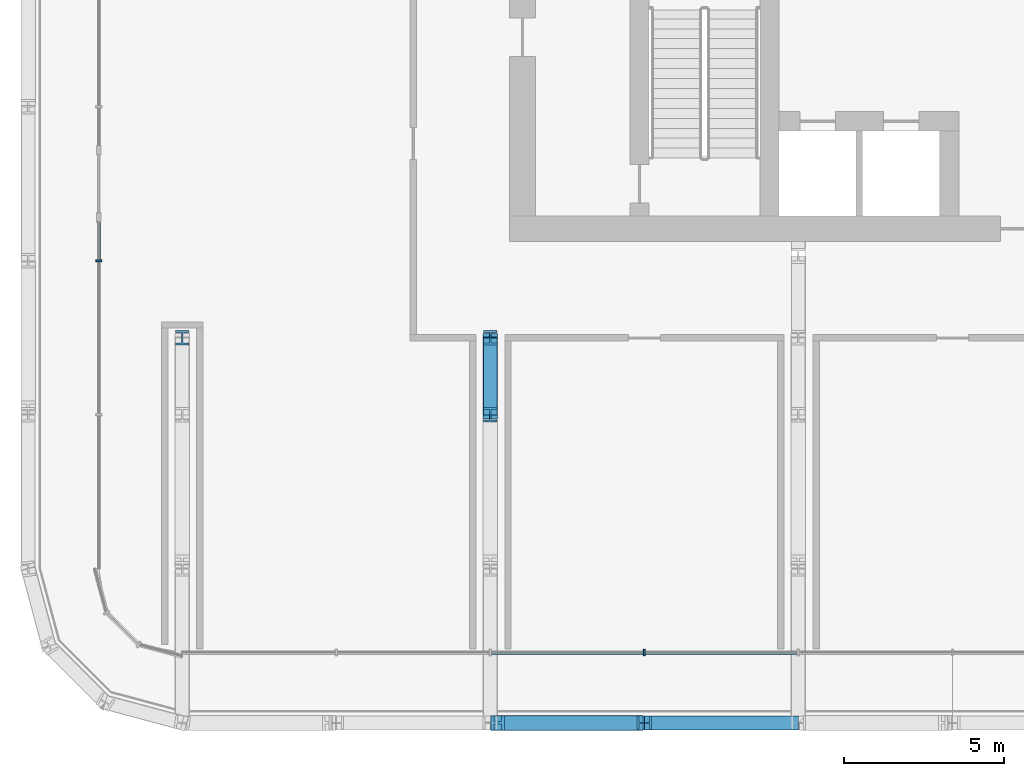
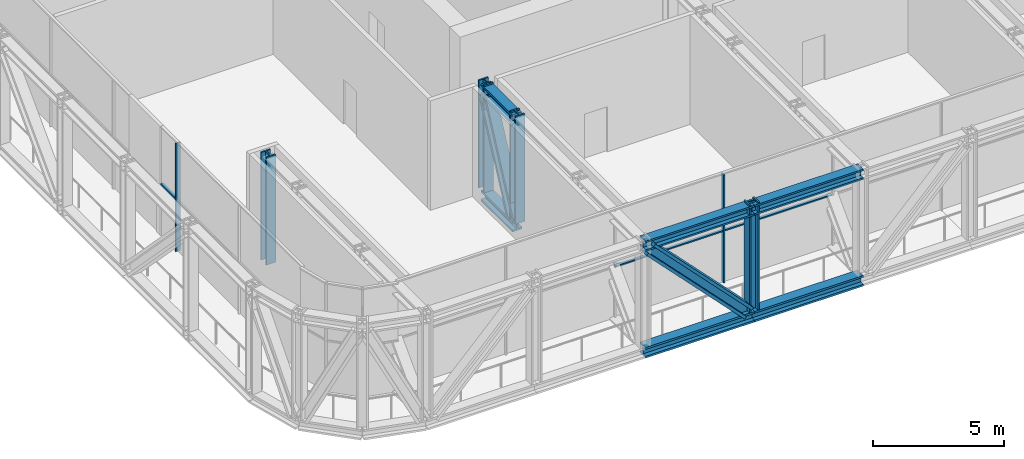
# One storey, part 2 of 27: 17 members, 2 elements without a shape of their own.
"""IFC4 building model written with IfcOpenShell, lengths in metres."""

from ifc_helpers import new_model, si_unit, direction, frame, origin, origin_2d, place, context, subcontext, project, spatial, rectangle, i_section, extrude, material, layer, layer_set, material_profile, profile_set, type_object, element, aggregate, save


model = new_model("IFC4")

# Units and contexts
model_context = context("Model", 3, precision=1e-05, world=origin(), true_north=direction((0.0, 1.0)))
body_context = subcontext(model_context, "Body", "Model", "MODEL_VIEW")
ifc_project = project(units=[si_unit("LENGTHUNIT", "METRE"), si_unit("AREAUNIT", "SQUARE_METRE"), si_unit("VOLUMEUNIT", "CUBIC_METRE"), si_unit("PLANEANGLEUNIT", "RADIAN"), si_unit("MASSUNIT", "GRAM", prefix="KILO")], contexts=[model_context])

# Site, building, storey
site_placement = place(None, origin())
site = spatial("IfcSite", under=ifc_project, at=site_placement, CompositionType="ELEMENT")
building_placement = place(site_placement, origin())
building = spatial("IfcBuilding", under=site, at=building_placement, Name="Madar Terraces", CompositionType="ELEMENT")
storey_placement = place(building_placement, frame((0.0, 0.0, 143.60009765625)))
storey = spatial("IfcBuildingStorey", under=building, at=storey_placement, Name="L37", CompositionType="ELEMENT", Elevation=143.60009765625)

# Members
ifc_material_1 = material(Name="Steel ASTM A913 Grade 65", Category="steel")
ifc_material_profile_1 = material_profile(ifc_material_1, i_section(OverallWidth=0.431884765625, OverallDepth=0.497802734375, WebThickness=0.0556640625, FlangeThickness=0.0888671875, at=origin_2d()), Name="W14x500")
ifc_profile_set_1 = profile_set([ifc_material_profile_1], Name="Steel ASTM A913 Grade 65")
member_type_1 = type_object("IfcMemberType", Name="BC5 W14x500", PredefinedType="CHORD", material=ifc_profile_set_1)
for number, where, z_axis, x_axis, name in (
    (1, (14.39990234375, 0.0, -0.171142578125), (1.0, 0.0, 0.0), (0.0, 1.0, 0.0), "Exoskeleton truss ring bottom chord BC5"),
    (2, (19.199951171875, 0.0, -0.171142578125), (1.0, 0.0, 0.0), (0.0, 1.0, 0.0), "Exoskeleton truss ring bottom chord BC5"),
):
    element("IfcMember", number, at=place(storey_placement, frame(where, z_axis=z_axis, x_axis=x_axis)), inside=storey, type_object=member_type_1, Name=name, PredefinedType="CHORD", context=body_context, shape_type="SweptSolid", body=[
        extrude(i_section(OverallWidth=0.431884765625, OverallDepth=0.497802734375, WebThickness=0.0556640625, FlangeThickness=0.0888671875, at=origin_2d()), origin(), (0.0, 0.0, 1.0), 4.800048828125),
    ])
member_1_placement = place(storey_placement, frame((14.39990234375, 9.60009765625, -0.171142578125), z_axis=(0.0, 1.0, 0.0), x_axis=(-1.0, 0.0, 0.0)))
element("IfcMember", 3, at=member_1_placement, inside=storey, type_object=member_type_1, Name="Exoskeleton truss cross S14.4 bottom chord BC5", PredefinedType="CHORD", context=body_context, shape_type="SweptSolid", body=[
    extrude(i_section(OverallWidth=0.431884765625, OverallDepth=0.497802734375, WebThickness=0.0556640625, FlangeThickness=0.0888671875, at=origin_2d()), origin(), (0.0, 0.0, 1.0), 2.39990234375),
])

# Curtain wall, member
ifc_material_2 = material(Name="Glass, ceramic frit dark grey, with black aluminium frame", Category="aluminium")
ifc_layer = layer(ifc_material_2, 0.199951171875)
ifc_layer_set = layer_set([ifc_layer], Name="Facade curtain wall, tall glazing")
curtain_wall_type = type_object("IfcCurtainWallType", Name="Facade curtain wall, tall glazing", PredefinedType="NOTDEFINED", material=ifc_layer_set)
curtain_wall_1_placement = place(storey_placement, origin())
curtain_wall_1 = element("IfcCurtainWall", 4, at=curtain_wall_1_placement, inside=storey, type_object=curtain_wall_type, Name="Outer skin curtain wall south bay 1", PredefinedType="NOTDEFINED")
ifc_material_3 = material(Name="Aluminium, black anodised", Category="aluminium")
ifc_material_profile_2 = material_profile(ifc_material_3, rectangle(XDim=0.199951171875, YDim=0.06005859375, at=origin_2d()), Name="Facade mullion 60x200")
ifc_profile_set_2 = profile_set([ifc_material_profile_2], Name="Aluminium, black anodised")
member_type_2 = type_object("IfcMemberType", Name="Facade mullion 60x200", PredefinedType="MULLION", material=ifc_profile_set_2)
member_2_placement = place(storey_placement, frame((19.199951171875, 2.199951171875, 0.0), z_axis=(0.0, 0.0, 1.0), x_axis=(0.0, 1.0, 0.0)))
member_2 = element("IfcMember", 5, at=member_2_placement, type_object=member_type_2, Name="Mullion 3", PredefinedType="MULLION", context=body_context, shape_type="SweptSolid", body=[
    extrude(rectangle(XDim=0.199951171875, YDim=0.06005859375, at=origin_2d()), origin(), (0.0, 0.0, 1.0), 5.039794921875),
])

curtain_wall_2_placement = place(storey_placement, origin())
curtain_wall_2 = element("IfcCurtainWall", 6, at=curtain_wall_2_placement, inside=storey, type_object=curtain_wall_type, Name="Outer skin curtain wall west bay 1", PredefinedType="NOTDEFINED")
member_3_placement = place(storey_placement, frame((2.199951171875, 14.39990234375, 0.0), z_axis=(0.0, 0.0, 1.0), x_axis=(1.0, 0.0, 0.0)))
member_3 = element("IfcMember", 7, at=member_3_placement, type_object=member_type_2, Name="Mullion 6", PredefinedType="MULLION", context=body_context, shape_type="SweptSolid", body=[
    extrude(rectangle(XDim=0.199951171875, YDim=0.06005859375, at=origin_2d()), origin(), (0.0, 0.0, 1.0), 5.039794921875),
])

# Member
ifc_material_4 = material(Name="Aluminium, black anodised", Category="aluminium")
ifc_material_profile_3 = material_profile(ifc_material_4, rectangle(XDim=0.1201171875, YDim=0.06005859375, at=origin_2d()), Name="Facade transom 60x120")
ifc_profile_set_3 = profile_set([ifc_material_profile_3], Name="Aluminium, black anodised")
member_type_3 = type_object("IfcMemberType", Name="Facade transom 60x120", PredefinedType="USERDEFINED", material=ifc_profile_set_3)
member_4_placement = place(storey_placement, frame((14.429931640625, 2.199951171875, 2.39990234375), z_axis=(1.0, 0.0, 0.0), x_axis=(0.0, 1.0, 0.0)))
member_4 = element("IfcMember", 8, at=member_4_placement, type_object=member_type_3, Name="Transom 4", ObjectType="TRANSOM", PredefinedType="USERDEFINED", context=body_context, shape_type="SweptSolid", body=[
    extrude(rectangle(XDim=0.1201171875, YDim=0.06005859375, at=origin_2d()), origin(), (0.0, 0.0, 1.0), 4.739990234375),
])

member_5_placement = place(storey_placement, frame((19.22998046875, 2.199951171875, 2.39990234375), z_axis=(1.0, 0.0, 0.0), x_axis=(0.0, 1.0, 0.0)))
member_5 = element("IfcMember", 9, at=member_5_placement, type_object=member_type_3, Name="Transom 5", ObjectType="TRANSOM", PredefinedType="USERDEFINED", context=body_context, shape_type="SweptSolid", body=[
    extrude(rectangle(XDim=0.1201171875, YDim=0.06005859375, at=origin_2d()), origin(), (0.0, 0.0, 1.0), 4.739990234375),
])

aggregate(curtain_wall_1, [member_2, member_4, member_5])

member_6_placement = place(storey_placement, frame((2.199951171875, 15.60009765625, 2.39990234375), z_axis=(0.0, -1.0, 0.0), x_axis=(1.0, 0.0, 0.0)))
member_6 = element("IfcMember", 10, at=member_6_placement, type_object=member_type_3, Name="Transom 9", ObjectType="TRANSOM", PredefinedType="USERDEFINED", context=body_context, shape_type="SweptSolid", body=[
    extrude(rectangle(XDim=0.1201171875, YDim=0.06005859375, at=origin_2d()), origin(), (0.0, 0.0, 1.0), 1.170166015625),
])

aggregate(curtain_wall_2, [member_3, member_6])

# Members
ifc_material_5 = material(Name="Steel ASTM A913 Grade 65", Category="steel")
ifc_material_profile_4 = material_profile(ifc_material_5, i_section(OverallWidth=0.424072265625, OverallDepth=0.47509765625, WebThickness=0.0478515625, FlangeThickness=0.0771484375, at=origin_2d()), Name="W14x426")
ifc_profile_set_4 = profile_set([ifc_material_profile_4], Name="Steel ASTM A913 Grade 65")
member_type_4 = type_object("IfcMemberType", Name="TC5 W14x426", PredefinedType="CHORD", material=ifc_profile_set_4)
for number, where, z_axis, x_axis, name in (
    (11, (14.39990234375, 0.0, 4.79248046875), (1.0, 0.0, 0.0), (0.0, 1.0, 0.0), "Exoskeleton truss ring top chord TC5"),
    (12, (19.199951171875, 0.0, 4.79248046875), (1.0, 0.0, 0.0), (0.0, 1.0, 0.0), "Exoskeleton truss ring top chord TC5"),
):
    element("IfcMember", number, at=place(storey_placement, frame(where, z_axis=z_axis, x_axis=x_axis)), inside=storey, type_object=member_type_4, Name=name, PredefinedType="CHORD", context=body_context, shape_type="SweptSolid", body=[
        extrude(i_section(OverallWidth=0.424072265625, OverallDepth=0.47509765625, WebThickness=0.0478515625, FlangeThickness=0.0771484375, at=origin_2d()), origin(), (0.0, 0.0, 1.0), 4.800048828125),
    ])
member_7_placement = place(storey_placement, frame((14.39990234375, 9.60009765625, 4.79248046875), z_axis=(0.0, 1.0, 0.0), x_axis=(-1.0, 0.0, 0.0)))
element("IfcMember", 13, at=member_7_placement, inside=storey, type_object=member_type_4, Name="Exoskeleton truss cross S14.4 top chord TC5", PredefinedType="CHORD", context=body_context, shape_type="SweptSolid", body=[
    extrude(i_section(OverallWidth=0.424072265625, OverallDepth=0.47509765625, WebThickness=0.0478515625, FlangeThickness=0.0771484375, at=origin_2d()), origin(), (0.0, 0.0, 1.0), 2.39990234375),
])
ifc_material_6 = material(Name="Steel ASTM A913 Grade 65", Category="steel")
ifc_material_profile_5 = material_profile(ifc_material_6, i_section(OverallWidth=0.45458984375, OverallDepth=0.56884765625, WebThickness=0.077880859375, FlangeThickness=0.124755859375, at=origin_2d()), Name="W14x730")
ifc_profile_set_5 = profile_set([ifc_material_profile_5], Name="Steel ASTM A913 Grade 65")
member_type_5 = type_object("IfcMemberType", Name="TD5 W14x730", PredefinedType="BRACE", material=ifc_profile_set_5)
member_8_placement = place(storey_placement, frame((14.629638671875, 0.0, 4.554931640625), z_axis=(0.695149746219, 0.0, -0.718864959733), x_axis=(0.0, 1.0, 0.0)))
element("IfcMember", 14, at=member_8_placement, inside=storey, type_object=member_type_5, Name="Exoskeleton truss ring diagonal TD5", PredefinedType="BRACE", context=body_context, shape_type="SweptSolid", body=[
    extrude(i_section(OverallWidth=0.45458984375, OverallDepth=0.56884765625, WebThickness=0.077880859375, FlangeThickness=0.124755859375, at=origin_2d()), origin(), (0.0, 0.0, 1.0), 6.228271484375),
])
member_9_placement = place(storey_placement, frame((14.39990234375, 9.720458984375, 0.07763671875), z_axis=(0.0, 0.435294010342, 0.900288356339), x_axis=(-1.0, 0.0, 0.0)))
element("IfcMember", 15, at=member_9_placement, inside=storey, type_object=member_type_5, Name="Exoskeleton truss cross S14.4 diagonal TD5", PredefinedType="BRACE", context=body_context, shape_type="SweptSolid", body=[
    extrude(i_section(OverallWidth=0.45458984375, OverallDepth=0.56884765625, WebThickness=0.077880859375, FlangeThickness=0.124755859375, at=origin_2d()), origin(), (0.0, 0.0, 1.0), 4.97314453125),
])
ifc_material_7 = material(Name="Steel ASTM A913 Grade 65", Category="steel")
ifc_material_profile_6 = material_profile(ifc_material_7, i_section(OverallWidth=0.419189453125, OverallDepth=0.45458984375, WebThickness=0.042236328125, FlangeThickness=0.067626953125, at=origin_2d()), Name="W14x370")
ifc_profile_set_6 = profile_set([ifc_material_profile_6], Name="Steel ASTM A913 Grade 65")
member_type_6 = type_object("IfcMemberType", Name="TV5 W14x370", PredefinedType="POST", material=ifc_profile_set_6)
for number, where, z_axis, x_axis, name in (
    (16, (19.199951171875, 0.0, 0.07763671875), (0.0, 0.0, 1.0), (0.0, 1.0, 0.0), "Exoskeleton truss ring post TV5"),
    (17, (4.800048828125, 12.0, 0.07763671875), (0.0, 0.0, 1.0), (-1.0, 0.0, 0.0), "Exoskeleton truss cross S4.8 post TV5"),
    (18, (14.39990234375, 9.60009765625, 0.07763671875), (0.0, 0.0, 1.0), (-1.0, 0.0, 0.0), "Exoskeleton truss cross S14.4 post TV5"),
    (19, (14.39990234375, 12.0, 0.07763671875), (0.0, 0.0, 1.0), (-1.0, 0.0, 0.0), "Exoskeleton truss cross S14.4 post TV5"),
):
    element("IfcMember", number, at=place(storey_placement, frame(where, z_axis=z_axis, x_axis=x_axis)), inside=storey, type_object=member_type_6, Name=name, PredefinedType="POST", context=body_context, shape_type="SweptSolid", body=[
        extrude(i_section(OverallWidth=0.419189453125, OverallDepth=0.45458984375, WebThickness=0.042236328125, FlangeThickness=0.067626953125, at=origin_2d()), origin(), (0.0, 0.0, 1.0), 5.022216796875),
    ])

save(model, "model.ifc")
